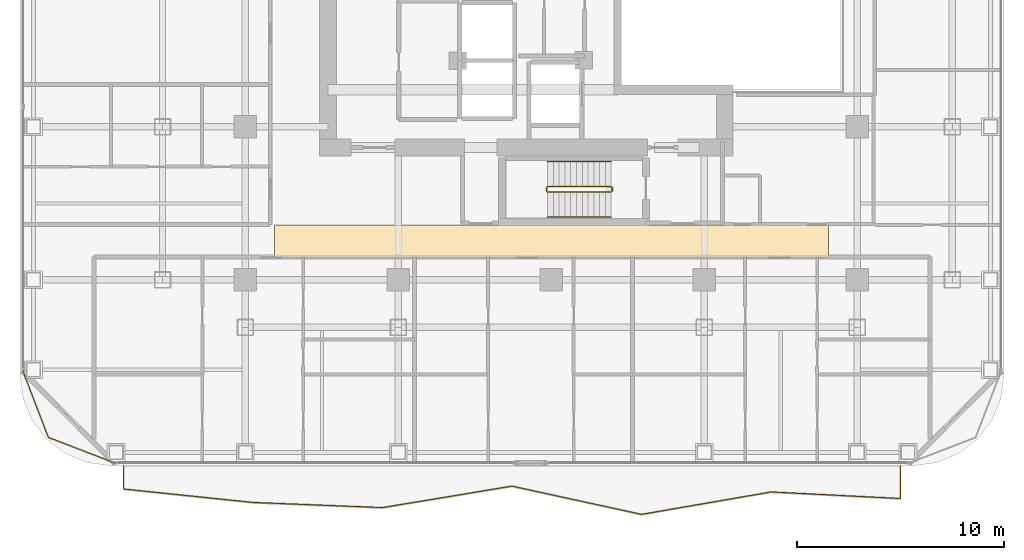
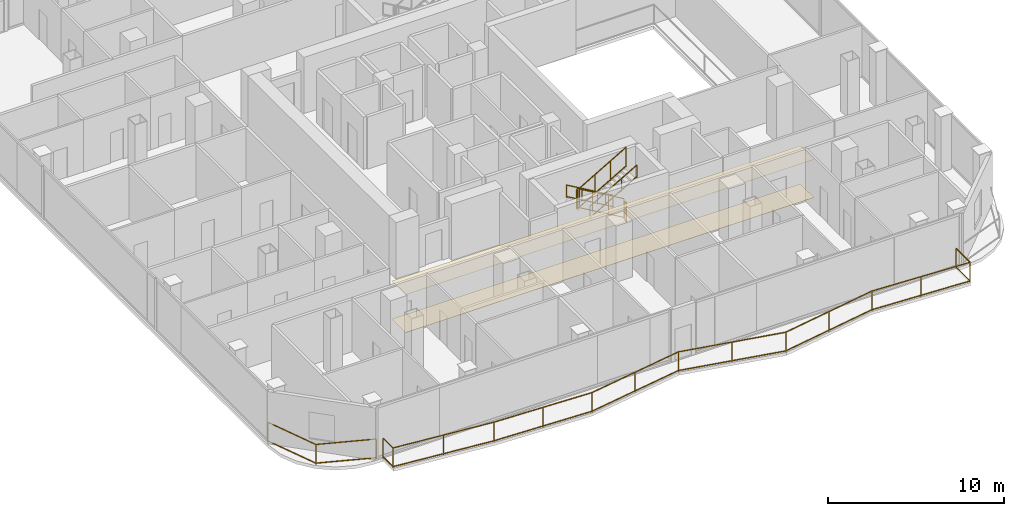
# One storey, part 24 of 26: 8 railings, 2 coverings.
"""IFC4 building model written with IfcOpenShell, lengths in metres."""

from ifc_helpers import new_model, si_unit, direction, frame, origin, origin_2d, place, context, subcontext, project, spatial, polyline, rectangle, outline, extrude, material, layer, layer_set, type_object, element, save


model = new_model("IFC4")

# Units and contexts
model_context = context("Model", 3, precision=1e-05, world=origin(), true_north=direction((0.0, 1.0)))
body_context = subcontext(model_context, "Body", "Model", "MODEL_VIEW")
ifc_project = project(units=[si_unit("LENGTHUNIT", "METRE"), si_unit("AREAUNIT", "SQUARE_METRE"), si_unit("VOLUMEUNIT", "CUBIC_METRE"), si_unit("PLANEANGLEUNIT", "RADIAN"), si_unit("MASSUNIT", "GRAM", prefix="KILO")], contexts=[model_context])

# Site, building, storey
site_placement = place(None, origin())
site = spatial("IfcSite", under=ifc_project, at=site_placement, CompositionType="ELEMENT")
building_placement = place(site_placement, origin())
building = spatial("IfcBuilding", under=site, at=building_placement, Name="Khorvyn Point Tower", CompositionType="ELEMENT")
storey_placement = place(building_placement, frame((0.0, 0.0, 187.5)))
storey = spatial("IfcBuildingStorey", under=building, at=storey_placement, Name="L46", CompositionType="ELEMENT", Elevation=187.5)

# Railings
ifc_material_1 = material(Name="Anodised aluminium 6063-T6 and laminated safety glass", Category="aluminium")
railing_type_1 = type_object("IfcRailingType", Name="Laminated Glass and Aluminium Balcony Guardrail 1400", PredefinedType="BALUSTRADE", material=ifc_material_1)
railing_1_placement = place(storey_placement, frame((-25.57421875, -19.176025390625, 0.0)))
element("IfcRailing", 1, at=railing_1_placement, inside=storey, type_object=railing_type_1, Name="L46 Rounded Corner Edge Guardrail SW", PredefinedType="BALUSTRADE", context=body_context, shape_type="SweptSolid", body=[
    extrude(rectangle(XDim=0.048095703125, YDim=0.048095703125, at=origin_2d()), frame((0.0, 0.0, 1.3759765625), z_axis=(0.358382264808, -0.933574931257, 0.0), x_axis=(0.933574931257, 0.358382264808, 0.0)), (0.0, 0.0, 1.0), 3.481689453125),
    extrude(rectangle(XDim=0.048095703125, YDim=0.048095703125, at=origin_2d()), frame((0.0, 0.0, 0.080078125), z_axis=(0.358382264808, -0.933574931257, 0.0), x_axis=(0.933574931257, 0.358382264808, 0.0)), (0.0, 0.0, 1.0), 3.481689453125),
    extrude(rectangle(XDim=0.048095703125, YDim=0.048095703125, at=origin_2d()), frame((1.247802734375, -3.25048828125, 1.3759765625), z_axis=(0.933598390295, -0.358321148746, 0.0), x_axis=(0.358321148746, 0.933598390295, 0.0)), (0.0, 0.0, 1.0), 3.481689453125),
    extrude(rectangle(XDim=0.048095703125, YDim=0.048095703125, at=origin_2d()), frame((1.247802734375, -3.25048828125, 0.080078125), z_axis=(0.933598390295, -0.358321148746, 0.0), x_axis=(0.358321148746, 0.933598390295, 0.0)), (0.0, 0.0, 1.0), 3.481689453125),
    extrude(rectangle(XDim=0.0419921875, YDim=0.0419921875, at=origin_2d()), origin(), (0.0, 0.0, 1.0), 1.351806640625),
    extrude(rectangle(XDim=0.0419921875, YDim=0.0419921875, at=origin_2d()), frame((1.247802734375, -3.25048828125, 0.0)), (0.0, 0.0, 1.0), 1.351806640625),
    extrude(rectangle(XDim=0.0419921875, YDim=0.0419921875, at=origin_2d()), frame((4.498291015625, -4.498046875, 0.0)), (0.0, 0.0, 1.0), 1.351806640625),
])
railing_2_placement = place(storey_placement, frame((-20.699951171875, -23.800048828125, 0.0)))
element("IfcRailing", 2, at=railing_2_placement, inside=storey, type_object=railing_type_1, Name="L46 South Balcony Guardrail", PredefinedType="BALUSTRADE", context=body_context, shape_type="SweptSolid", body=[
    extrude(rectangle(XDim=0.048095703125, YDim=0.048095703125, at=origin_2d()), frame((0.0, 0.0, 1.3759765625), z_axis=(0.0, -1.0, 0.0), x_axis=(1.0, 0.0, 0.0)), (0.0, 0.0, 1.0), 1.11865234375),
    extrude(rectangle(XDim=0.048095703125, YDim=0.048095703125, at=origin_2d()), frame((0.0, 0.0, 0.080078125), z_axis=(0.0, -1.0, 0.0), x_axis=(1.0, 0.0, 0.0)), (0.0, 0.0, 1.0), 1.11865234375),
    extrude(rectangle(XDim=0.048095703125, YDim=0.048095703125, at=origin_2d()), frame((0.0, -1.11865234375, 1.3759765625), z_axis=(0.99462938435, -0.103500665638, 0.0), x_axis=(0.103500665638, 0.99462938435, 0.0)), (0.0, 0.0, 1.0), 6.300537109375),
    extrude(rectangle(XDim=0.048095703125, YDim=0.048095703125, at=origin_2d()), frame((0.0, -1.11865234375, 0.080078125), z_axis=(0.99462938435, -0.103500665638, 0.0), x_axis=(0.103500665638, 0.99462938435, 0.0)), (0.0, 0.0, 1.0), 6.300537109375),
    extrude(rectangle(XDim=0.048095703125, YDim=0.048095703125, at=origin_2d()), frame((6.2666015625, -1.770751953125, 1.3759765625), z_axis=(0.999209826541, -0.039745723582, 0.0), x_axis=(0.039745723582, 0.999209826541, 0.0)), (0.0, 0.0, 1.0), 6.271484375),
    extrude(rectangle(XDim=0.048095703125, YDim=0.048095703125, at=origin_2d()), frame((6.2666015625, -1.770751953125, 0.080078125), z_axis=(0.999209826541, -0.039745723582, 0.0), x_axis=(0.039745723582, 0.999209826541, 0.0)), (0.0, 0.0, 1.0), 6.271484375),
    extrude(rectangle(XDim=0.048095703125, YDim=0.048095703125, at=origin_2d()), frame((12.533203125, -2.02001953125, 1.3759765625), z_axis=(0.986525523457, 0.163607431273, 0.0), x_axis=(-0.163607431273, 0.986525523457, 0.0)), (0.0, 0.0, 1.0), 6.3525390625),
    extrude(rectangle(XDim=0.048095703125, YDim=0.048095703125, at=origin_2d()), frame((12.533203125, -2.02001953125, 0.080078125), z_axis=(0.986525523457, 0.163607431273, 0.0), x_axis=(-0.163607431273, 0.986525523457, 0.0)), (0.0, 0.0, 1.0), 6.3525390625),
    extrude(rectangle(XDim=0.048095703125, YDim=0.048095703125, at=origin_2d()), frame((18.800048828125, -0.980712890625, 1.3759765625), z_axis=(0.977049765943, -0.213011161377, 0.0), x_axis=(0.213011161377, 0.977049765943, 0.0)), (0.0, 0.0, 1.0), 6.413818359375),
    extrude(rectangle(XDim=0.048095703125, YDim=0.048095703125, at=origin_2d()), frame((18.800048828125, -0.980712890625, 0.080078125), z_axis=(0.977049765943, -0.213011161377, 0.0), x_axis=(0.213011161377, 0.977049765943, 0.0)), (0.0, 0.0, 1.0), 6.413818359375),
    extrude(rectangle(XDim=0.048095703125, YDim=0.048095703125, at=origin_2d()), frame((25.066650390625, -2.346923828125, 1.3759765625), z_axis=(0.985353979217, 0.170521364177, 0.0), x_axis=(-0.170521364177, 0.985353979217, 0.0)), (0.0, 0.0, 1.0), 6.35986328125),
    extrude(rectangle(XDim=0.048095703125, YDim=0.048095703125, at=origin_2d()), frame((25.066650390625, -2.346923828125, 0.080078125), z_axis=(0.985353979217, 0.170521364177, 0.0), x_axis=(-0.170521364177, 0.985353979217, 0.0)), (0.0, 0.0, 1.0), 6.35986328125),
    extrude(rectangle(XDim=0.048095703125, YDim=0.048095703125, at=origin_2d()), frame((31.333251953125, -1.262451171875, 1.3759765625), z_axis=(0.998706121207, -0.050853549183, 0.0), x_axis=(0.050853549183, 0.998706121207, 0.0)), (0.0, 0.0, 1.0), 6.274658203125),
    extrude(rectangle(XDim=0.048095703125, YDim=0.048095703125, at=origin_2d()), frame((31.333251953125, -1.262451171875, 0.080078125), z_axis=(0.998706121207, -0.050853549183, 0.0), x_axis=(0.050853549183, 0.998706121207, 0.0)), (0.0, 0.0, 1.0), 6.274658203125),
    extrude(rectangle(XDim=0.048095703125, YDim=0.048095703125, at=origin_2d()), frame((37.599853515625, -1.58154296875, 1.3759765625), z_axis=(0.0, 1.0, 0.0), x_axis=(-1.0, 0.0, 0.0)), (0.0, 0.0, 1.0), 1.58154296875),
    extrude(rectangle(XDim=0.048095703125, YDim=0.048095703125, at=origin_2d()), frame((37.599853515625, -1.58154296875, 0.080078125), z_axis=(0.0, 1.0, 0.0), x_axis=(-1.0, 0.0, 0.0)), (0.0, 0.0, 1.0), 1.58154296875),
    extrude(rectangle(XDim=0.0419921875, YDim=0.0419921875, at=origin_2d()), origin(), (0.0, 0.0, 1.0), 1.351806640625),
    extrude(rectangle(XDim=0.0419921875, YDim=0.0419921875, at=origin_2d()), frame((0.0, -1.11865234375, 0.0)), (0.0, 0.0, 1.0), 1.351806640625),
    extrude(rectangle(XDim=0.0419921875, YDim=0.0419921875, at=origin_2d()), frame((3.13330078125, -1.44482421875, 0.0)), (0.0, 0.0, 1.0), 1.351806640625),
    extrude(rectangle(XDim=0.0419921875, YDim=0.0419921875, at=origin_2d()), frame((6.2666015625, -1.770751953125, 0.0)), (0.0, 0.0, 1.0), 1.351806640625),
    extrude(rectangle(XDim=0.0419921875, YDim=0.0419921875, at=origin_2d()), frame((9.39990234375, -1.8955078125, 0.0)), (0.0, 0.0, 1.0), 1.351806640625),
    extrude(rectangle(XDim=0.0419921875, YDim=0.0419921875, at=origin_2d()), frame((12.533203125, -2.02001953125, 0.0)), (0.0, 0.0, 1.0), 1.351806640625),
    extrude(rectangle(XDim=0.0419921875, YDim=0.0419921875, at=origin_2d()), frame((15.66650390625, -1.50048828125, 0.0)), (0.0, 0.0, 1.0), 1.351806640625),
    extrude(rectangle(XDim=0.0419921875, YDim=0.0419921875, at=origin_2d()), frame((18.800048828125, -0.980712890625, 0.0)), (0.0, 0.0, 1.0), 1.351806640625),
    extrude(rectangle(XDim=0.0419921875, YDim=0.0419921875, at=origin_2d()), frame((21.933349609375, -1.663818359375, 0.0)), (0.0, 0.0, 1.0), 1.351806640625),
    extrude(rectangle(XDim=0.0419921875, YDim=0.0419921875, at=origin_2d()), frame((25.066650390625, -2.346923828125, 0.0)), (0.0, 0.0, 1.0), 1.351806640625),
    extrude(rectangle(XDim=0.0419921875, YDim=0.0419921875, at=origin_2d()), frame((28.199951171875, -1.8046875, 0.0)), (0.0, 0.0, 1.0), 1.351806640625),
    extrude(rectangle(XDim=0.0419921875, YDim=0.0419921875, at=origin_2d()), frame((31.333251953125, -1.262451171875, 0.0)), (0.0, 0.0, 1.0), 1.351806640625),
    extrude(rectangle(XDim=0.0419921875, YDim=0.0419921875, at=origin_2d()), frame((34.466552734375, -1.421875, 0.0)), (0.0, 0.0, 1.0), 1.351806640625),
    extrude(rectangle(XDim=0.0419921875, YDim=0.0419921875, at=origin_2d()), frame((37.599853515625, -1.58154296875, 0.0)), (0.0, 0.0, 1.0), 1.351806640625),
    extrude(rectangle(XDim=0.0419921875, YDim=0.0419921875, at=origin_2d()), frame((37.599853515625, 0.0, 0.0)), (0.0, 0.0, 1.0), 1.351806640625),
])

# Coverings
ifc_material_2 = material(Name="Mineral-fibre acoustic ceiling board", Category="gypsum")
ifc_layer_1 = layer(ifc_material_2, 0.02001953125)
ifc_layer_set_1 = layer_set([ifc_layer_1], Name="Perforated Mineral-Fibre Acoustic Suspended Ceiling 20")
covering_type_1 = type_object("IfcCoveringType", Name="Perforated Mineral-Fibre Acoustic Suspended Ceiling 20", PredefinedType="CEILING", material=ifc_layer_set_1)
covering_1_placement = place(storey_placement, frame((0.0, 0.0, 2.639892578125)))
element("IfcCovering", 3, at=covering_1_placement, inside=storey, type_object=covering_type_1, Name="L46 South Corridor Acoustic Ceiling", PredefinedType="CEILING", context=body_context, shape_type="SweptSolid", body=[
    extrude(outline(polyline([(-13.39990234375, -13.7099609375), (13.39990234375, -13.7099609375), (13.39990234375, -12.139892578125), (-13.39990234375, -12.139892578125), (-13.39990234375, -13.7099609375)])), origin(), (0.0, 0.0, 1.0), 0.02001953125),
])
ifc_material_3 = material(Name="Vitrified porcelain terrazzo tile", Category="ceramic")
ifc_layer_2 = layer(ifc_material_3, 0.01806640625)
ifc_layer_set_2 = layer_set([ifc_layer_2], Name="Porcelain Terrazzo Corridor Floor Finish Tile 18")
covering_type_2 = type_object("IfcCoveringType", Name="Porcelain Terrazzo Corridor Floor Finish Tile 18", PredefinedType="FLOORING", material=ifc_layer_set_2)
covering_2_placement = place(storey_placement, origin())
element("IfcCovering", 4, at=covering_2_placement, inside=storey, type_object=covering_type_2, Name="L46 South Corridor Terrazzo Flooring", PredefinedType="FLOORING", context=body_context, shape_type="SweptSolid", body=[
    extrude(outline(polyline([(-13.39990234375, -13.7099609375), (13.39990234375, -13.7099609375), (13.39990234375, -12.139892578125), (-13.39990234375, -12.139892578125), (-13.39990234375, -13.7099609375)])), origin(), (0.0, 0.0, 1.0), 0.01806640625),
])

# Railings
ifc_material_4 = material(Name="Stainless steel 1.4301", Category="steel")
railing_type_2 = type_object("IfcRailingType", Name="Stainless Steel 304 Stair Pitch Handrail 900", PredefinedType="HANDRAIL", material=ifc_material_4)
railing_3_placement = place(storey_placement, frame((2.89990234375, -9.070068359375, 0.16259765625)))
element("IfcRailing", 5, at=railing_3_placement, inside=storey, type_object=railing_type_2, Name="L46 ST-01 stair handrail 1", PredefinedType="HANDRAIL", context=body_context, shape_type="SweptSolid", body=[
    extrude(rectangle(XDim=0.048095703125, YDim=0.048095703125, at=origin_2d()), frame((0.0, 0.0, 0.8759765625), z_axis=(-0.864903211148, 0.0, 0.501938676878), x_axis=(0.0, -1.0, 0.0)), (0.0, 0.0, 1.0), 3.560791015625),
    extrude(rectangle(XDim=0.048095703125, YDim=0.048095703125, at=origin_2d()), frame((0.0, 0.0, 0.080078125), z_axis=(-0.864903211148, 0.0, 0.501938676878), x_axis=(0.0, -1.0, 0.0)), (0.0, 0.0, 1.0), 3.560791015625),
    extrude(rectangle(XDim=0.0419921875, YDim=0.0419921875, at=origin_2d()), origin(), (0.0, 0.0, 1.0), 0.851806640625),
    extrude(rectangle(XDim=0.0419921875, YDim=0.0419921875, at=origin_2d()), frame((-1.026611328125, 0.0, 0.595703125)), (0.0, 0.0, 1.0), 0.851806640625),
    extrude(rectangle(XDim=0.0419921875, YDim=0.0419921875, at=origin_2d()), frame((-2.05322265625, 0.0, 1.191650390625)), (0.0, 0.0, 1.0), 0.851806640625),
    extrude(rectangle(XDim=0.0419921875, YDim=0.0419921875, at=origin_2d()), frame((-3.079833984375, 0.0, 1.787353515625)), (0.0, 0.0, 1.0), 0.851806640625),
])
railing_4_placement = place(storey_placement, frame((-0.179931640625, -11.77001953125, 2.112548828125)))
element("IfcRailing", 6, at=railing_4_placement, inside=storey, type_object=railing_type_2, Name="L46 ST-01 stair handrail 2", PredefinedType="HANDRAIL", context=body_context, shape_type="SweptSolid", body=[
    extrude(rectangle(XDim=0.048095703125, YDim=0.048095703125, at=origin_2d()), frame((0.0, 0.0, 0.8759765625), z_axis=(0.864903211148, 0.0, 0.501938676878), x_axis=(0.0, 1.0, 0.0)), (0.0, 0.0, 1.0), 3.560791015625),
    extrude(rectangle(XDim=0.048095703125, YDim=0.048095703125, at=origin_2d()), frame((0.0, 0.0, 0.080078125), z_axis=(0.864903211148, 0.0, 0.501938676878), x_axis=(0.0, 1.0, 0.0)), (0.0, 0.0, 1.0), 3.560791015625),
    extrude(rectangle(XDim=0.0419921875, YDim=0.0419921875, at=origin_2d()), origin(), (0.0, 0.0, 1.0), 0.851806640625),
    extrude(rectangle(XDim=0.0419921875, YDim=0.0419921875, at=origin_2d()), frame((1.026611328125, 0.0, 0.595703125)), (0.0, 0.0, 1.0), 0.851806640625),
    extrude(rectangle(XDim=0.0419921875, YDim=0.0419921875, at=origin_2d()), frame((2.05322265625, 0.0, 1.191650390625)), (0.0, 0.0, 1.0), 0.851806640625),
    extrude(rectangle(XDim=0.0419921875, YDim=0.0419921875, at=origin_2d()), frame((3.079833984375, 0.0, 1.787353515625)), (0.0, 0.0, 1.0), 0.851806640625),
])
railing_type_3 = type_object("IfcRailingType", Name="Stainless Steel 304 Stair Well Guardrail 1400", PredefinedType="GUARDRAIL", material=ifc_material_4)
railing_5_placement = place(storey_placement, frame((2.89990234375, -10.2900390625, 0.16259765625)))
element("IfcRailing", 7, at=railing_5_placement, inside=storey, type_object=railing_type_3, Name="L46 ST-01 stair guard 1", PredefinedType="GUARDRAIL", context=body_context, shape_type="SweptSolid", body=[
    extrude(rectangle(XDim=0.048095703125, YDim=0.048095703125, at=origin_2d()), frame((0.0, 0.0, 1.3759765625), z_axis=(-0.864903211148, 0.0, 0.501938676878), x_axis=(0.0, -1.0, 0.0)), (0.0, 0.0, 1.0), 3.560791015625),
    extrude(rectangle(XDim=0.048095703125, YDim=0.048095703125, at=origin_2d()), frame((0.0, 0.0, 0.080078125), z_axis=(-0.864903211148, 0.0, 0.501938676878), x_axis=(0.0, -1.0, 0.0)), (0.0, 0.0, 1.0), 3.560791015625),
    extrude(rectangle(XDim=0.0419921875, YDim=0.0419921875, at=origin_2d()), origin(), (0.0, 0.0, 1.0), 1.351806640625),
    extrude(rectangle(XDim=0.0419921875, YDim=0.0419921875, at=origin_2d()), frame((-1.026611328125, 0.0, 0.595703125)), (0.0, 0.0, 1.0), 1.351806640625),
    extrude(rectangle(XDim=0.0419921875, YDim=0.0419921875, at=origin_2d()), frame((-2.05322265625, 0.0, 1.191650390625)), (0.0, 0.0, 1.0), 1.351806640625),
    extrude(rectangle(XDim=0.0419921875, YDim=0.0419921875, at=origin_2d()), frame((-3.079833984375, 0.0, 1.787353515625)), (0.0, 0.0, 1.0), 1.351806640625),
])
railing_6_placement = place(storey_placement, frame((-0.22998046875, -10.340087890625, 1.949951171875)))
element("IfcRailing", 8, at=railing_6_placement, inside=storey, type_object=railing_type_3, Name="L46 ST-01 stair guard 2", PredefinedType="GUARDRAIL", context=body_context, shape_type="SweptSolid", body=[
    extrude(rectangle(XDim=0.048095703125, YDim=0.048095703125, at=origin_2d()), frame((0.0, 0.0, 1.3759765625), z_axis=(0.0, -1.0, 0.0), x_axis=(1.0, 0.0, 0.0)), (0.0, 0.0, 1.0), 0.159912109375),
    extrude(rectangle(XDim=0.048095703125, YDim=0.048095703125, at=origin_2d()), frame((0.0, 0.0, 0.080078125), z_axis=(0.0, -1.0, 0.0), x_axis=(1.0, 0.0, 0.0)), (0.0, 0.0, 1.0), 0.159912109375),
    extrude(rectangle(XDim=0.0419921875, YDim=0.0419921875, at=origin_2d()), origin(), (0.0, 0.0, 1.0), 1.351806640625),
    extrude(rectangle(XDim=0.0419921875, YDim=0.0419921875, at=origin_2d()), frame((0.0, -0.159912109375, 0.0)), (0.0, 0.0, 1.0), 1.351806640625),
])
railing_7_placement = place(storey_placement, frame((-0.179931640625, -10.550048828125, 2.112548828125)))
element("IfcRailing", 9, at=railing_7_placement, inside=storey, type_object=railing_type_3, Name="L46 ST-01 stair guard 3", PredefinedType="GUARDRAIL", context=body_context, shape_type="SweptSolid", body=[
    extrude(rectangle(XDim=0.048095703125, YDim=0.048095703125, at=origin_2d()), frame((0.0, 0.0, 1.3759765625), z_axis=(0.864903211148, 0.0, 0.501938676878), x_axis=(0.0, 1.0, 0.0)), (0.0, 0.0, 1.0), 3.560791015625),
    extrude(rectangle(XDim=0.048095703125, YDim=0.048095703125, at=origin_2d()), frame((0.0, 0.0, 0.080078125), z_axis=(0.864903211148, 0.0, 0.501938676878), x_axis=(0.0, 1.0, 0.0)), (0.0, 0.0, 1.0), 3.560791015625),
    extrude(rectangle(XDim=0.0419921875, YDim=0.0419921875, at=origin_2d()), origin(), (0.0, 0.0, 1.0), 1.351806640625),
    extrude(rectangle(XDim=0.0419921875, YDim=0.0419921875, at=origin_2d()), frame((1.026611328125, 0.0, 0.595703125)), (0.0, 0.0, 1.0), 1.351806640625),
    extrude(rectangle(XDim=0.0419921875, YDim=0.0419921875, at=origin_2d()), frame((2.05322265625, 0.0, 1.191650390625)), (0.0, 0.0, 1.0), 1.351806640625),
    extrude(rectangle(XDim=0.0419921875, YDim=0.0419921875, at=origin_2d()), frame((3.079833984375, 0.0, 1.787353515625)), (0.0, 0.0, 1.0), 1.351806640625),
])
railing_8_placement = place(storey_placement, frame((2.949951171875, -10.340087890625, 0.0)))
element("IfcRailing", 10, at=railing_8_placement, inside=storey, type_object=railing_type_3, Name="L46 ST-01 stair guard 4", PredefinedType="GUARDRAIL", context=body_context, shape_type="SweptSolid", body=[
    extrude(rectangle(XDim=0.048095703125, YDim=0.048095703125, at=origin_2d()), frame((0.0, 0.0, 1.3759765625), z_axis=(0.0, -1.0, 0.0), x_axis=(1.0, 0.0, 0.0)), (0.0, 0.0, 1.0), 0.159912109375),
    extrude(rectangle(XDim=0.048095703125, YDim=0.048095703125, at=origin_2d()), frame((0.0, 0.0, 0.080078125), z_axis=(0.0, -1.0, 0.0), x_axis=(1.0, 0.0, 0.0)), (0.0, 0.0, 1.0), 0.159912109375),
    extrude(rectangle(XDim=0.0419921875, YDim=0.0419921875, at=origin_2d()), origin(), (0.0, 0.0, 1.0), 1.351806640625),
    extrude(rectangle(XDim=0.0419921875, YDim=0.0419921875, at=origin_2d()), frame((0.0, -0.159912109375, 0.0)), (0.0, 0.0, 1.0), 1.351806640625),
])

save(model, "model.ifc")
